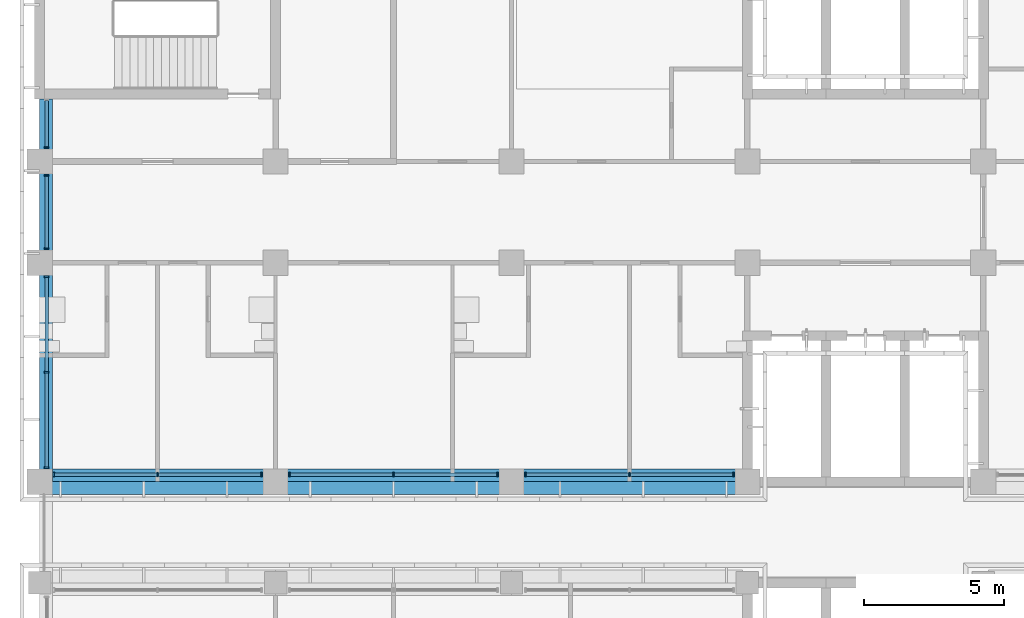
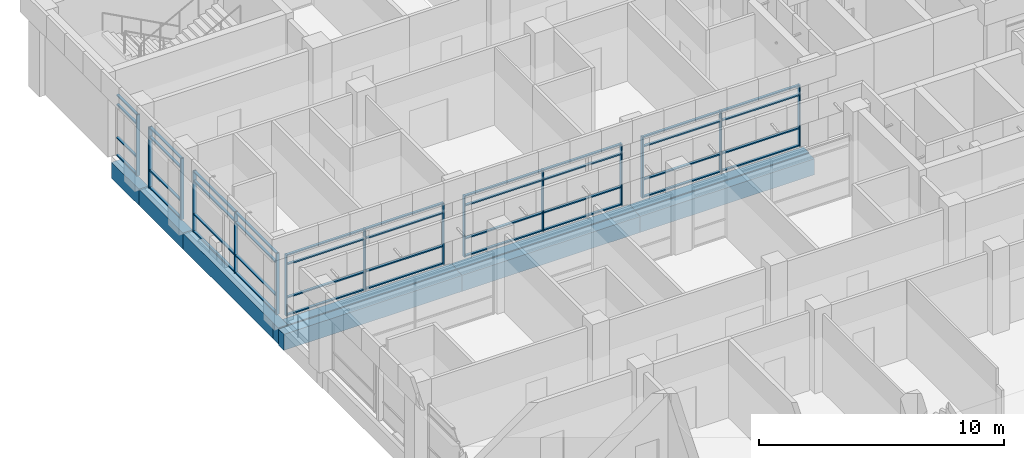
# One storey, part 23 of 137: 55 members, 9 beams, 6 elements without a shape of their own.
"""IFC4 building model written with IfcOpenShell, lengths in metres."""

from ifc_helpers import new_model, si_unit, direction, frame, origin, origin_2d, place, context, subcontext, project, spatial, rectangle, extrude, material, material_profile, profile_set, type_object, element, aggregate, save


model = new_model("IFC4")

# Units and contexts
model_context = context("Model", 3, precision=1e-05, world=origin(), true_north=direction((0.0, 1.0)))
body_context = subcontext(model_context, "Body", "Model", "MODEL_VIEW")
ifc_project = project(units=[si_unit("LENGTHUNIT", "METRE"), si_unit("AREAUNIT", "SQUARE_METRE"), si_unit("VOLUMEUNIT", "CUBIC_METRE"), si_unit("PLANEANGLEUNIT", "RADIAN"), si_unit("MASSUNIT", "GRAM", prefix="KILO")], contexts=[model_context])

# Site, building, storey
site_placement = place(None, origin())
site = spatial("IfcSite", under=ifc_project, at=site_placement, CompositionType="ELEMENT")
building_placement = place(site_placement, origin())
building = spatial("IfcBuilding", under=site, at=building_placement, Name="Bougainvillea Quay General Hospital", CompositionType="ELEMENT")
storey_placement = place(building_placement, frame((0.0, 0.0, 16.800048828125)))
storey = spatial("IfcBuildingStorey", under=building, at=storey_placement, Name="L03", CompositionType="ELEMENT", Elevation=16.800048828125)

# Curtain wall, member
ifc_material_1 = material(Name="Aluminium curtain wall system, powder-coated glazed", Category="aluminium")
curtain_wall_type_1 = type_object("IfcCurtainWallType", Name="Unitised curtain wall CW-1755", PredefinedType="NOTDEFINED", material=ifc_material_1)
curtain_wall_1_placement = place(storey_placement, origin())
curtain_wall_1 = element("IfcCurtainWall", 1, at=curtain_wall_1_placement, inside=storey, type_object=curtain_wall_type_1, Name="CW-4200 00", PredefinedType="NOTDEFINED")
ifc_material_2 = material(Name="Aluminium mullion, powder-coated charcoal", Category="aluminium")
ifc_material_profile_1 = material_profile(ifc_material_2, rectangle(XDim=0.159912109375, YDim=0.06005859375, at=origin_2d()))
ifc_profile_set_1 = profile_set([ifc_material_profile_1], Name="Aluminium mullion, powder-coated charcoal")
member_type_1 = type_object("IfcMemberType", Name="Curtain wall mullion 160x60", PredefinedType="MULLION", material=ifc_profile_set_1)
member_1_placement = place(storey_placement, frame((42.25, 152.300048828125, 0.0), z_axis=(0.0, 0.0, 1.0), x_axis=(1.0, 0.0, 0.0)))
member_1 = element("IfcMember", 2, at=member_1_placement, type_object=member_type_1, Name="CW-4200 mullion 2", PredefinedType="MULLION", context=body_context, shape_type="SweptSolid", body=[
    extrude(rectangle(XDim=0.159912109375, YDim=0.06005859375, at=origin_2d()), origin(), (0.0, 0.0, 1.0), 3.050048828125),
])

# Curtain wall, members
curtain_wall_type_2 = type_object("IfcCurtainWallType", Name="Unitised curtain wall CW-2660", PredefinedType="NOTDEFINED", material=ifc_material_1)
curtain_wall_2_placement = place(storey_placement, origin())
curtain_wall_2 = element("IfcCurtainWall", 3, at=curtain_wall_2_placement, inside=storey, type_object=curtain_wall_type_2, Name="CW-4200 01", PredefinedType="NOTDEFINED")
member_2_placement = place(storey_placement, frame((42.25, 151.300048828125, 0.0), z_axis=(0.0, 0.0, 1.0), x_axis=(1.0, 0.0, 0.0)))
member_2 = element("IfcMember", 4, at=member_2_placement, type_object=member_type_1, Name="CW-4200 mullion 1", PredefinedType="MULLION", context=body_context, shape_type="SweptSolid", body=[
    extrude(rectangle(XDim=0.159912109375, YDim=0.06005859375, at=origin_2d()), origin(), (0.0, 0.0, 1.0), 3.050048828125),
])
member_3_placement = place(storey_placement, frame((42.25, 148.699951171875, 0.0), z_axis=(0.0, 0.0, 1.0), x_axis=(1.0, 0.0, 0.0)))
member_3 = element("IfcMember", 5, at=member_3_placement, type_object=member_type_1, Name="CW-4200 mullion 2", PredefinedType="MULLION", context=body_context, shape_type="SweptSolid", body=[
    extrude(rectangle(XDim=0.159912109375, YDim=0.06005859375, at=origin_2d()), origin(), (0.0, 0.0, 1.0), 3.050048828125),
])

curtain_wall_type_3 = type_object("IfcCurtainWallType", Name="Unitised curtain wall CW-3430", PredefinedType="NOTDEFINED", material=ifc_material_1)
curtain_wall_3_placement = place(storey_placement, origin())
curtain_wall_3 = element("IfcCurtainWall", 6, at=curtain_wall_3_placement, inside=storey, type_object=curtain_wall_type_3, Name="CW-4200 02", PredefinedType="NOTDEFINED")
member_4_placement = place(storey_placement, frame((42.25, 147.699951171875, 0.0), z_axis=(0.0, 0.0, 1.0), x_axis=(1.0, 0.0, 0.0)))
member_4 = element("IfcMember", 7, at=member_4_placement, type_object=member_type_1, Name="CW-4200 mullion 1", PredefinedType="MULLION", context=body_context, shape_type="SweptSolid", body=[
    extrude(rectangle(XDim=0.159912109375, YDim=0.06005859375, at=origin_2d()), origin(), (0.0, 0.0, 1.0), 3.050048828125),
])
member_5_placement = place(storey_placement, frame((42.25, 144.300048828125, 0.0), z_axis=(0.0, 0.0, 1.0), x_axis=(1.0, 0.0, 0.0)))
member_5 = element("IfcMember", 8, at=member_5_placement, type_object=member_type_1, Name="CW-4200 mullion 2", PredefinedType="MULLION", context=body_context, shape_type="SweptSolid", body=[
    extrude(rectangle(XDim=0.159912109375, YDim=0.06005859375, at=origin_2d()), origin(), (0.0, 0.0, 1.0), 3.050048828125),
])
member_6_placement = place(storey_placement, frame((42.25, 140.89990234375, 0.0), z_axis=(0.0, 0.0, 1.0), x_axis=(1.0, 0.0, 0.0)))
member_6 = element("IfcMember", 9, at=member_6_placement, type_object=member_type_1, Name="CW-4200 mullion 3", PredefinedType="MULLION", context=body_context, shape_type="SweptSolid", body=[
    extrude(rectangle(XDim=0.159912109375, YDim=0.06005859375, at=origin_2d()), origin(), (0.0, 0.0, 1.0), 3.050048828125),
])

curtain_wall_type_4 = type_object("IfcCurtainWallType", Name="Unitised curtain wall CW-3730", PredefinedType="NOTDEFINED", material=ifc_material_1)
curtain_wall_4_placement = place(storey_placement, origin())
curtain_wall_4 = element("IfcCurtainWall", 10, at=curtain_wall_4_placement, inside=storey, type_object=curtain_wall_type_4, Name="CW-4200 00", PredefinedType="NOTDEFINED")
member_7_placement = place(storey_placement, frame((42.5, 140.64990234375, 0.0), z_axis=(0.0, 0.0, 1.0), x_axis=(0.0, 1.0, 0.0)))
member_7 = element("IfcMember", 11, at=member_7_placement, type_object=member_type_1, Name="CW-4200 mullion 1", PredefinedType="MULLION", context=body_context, shape_type="SweptSolid", body=[
    extrude(rectangle(XDim=0.159912109375, YDim=0.06005859375, at=origin_2d()), origin(), (0.0, 0.0, 1.0), 3.050048828125),
])
member_8_placement = place(storey_placement, frame((46.199951171875, 140.64990234375, 0.0), z_axis=(0.0, 0.0, 1.0), x_axis=(0.0, 1.0, 0.0)))
member_8 = element("IfcMember", 12, at=member_8_placement, type_object=member_type_1, Name="CW-4200 mullion 2", PredefinedType="MULLION", context=body_context, shape_type="SweptSolid", body=[
    extrude(rectangle(XDim=0.159912109375, YDim=0.06005859375, at=origin_2d()), origin(), (0.0, 0.0, 1.0), 3.050048828125),
])
member_9_placement = place(storey_placement, frame((49.89990234375, 140.64990234375, 0.0), z_axis=(0.0, 0.0, 1.0), x_axis=(0.0, 1.0, 0.0)))
member_9 = element("IfcMember", 13, at=member_9_placement, type_object=member_type_1, Name="CW-4200 mullion 3", PredefinedType="MULLION", context=body_context, shape_type="SweptSolid", body=[
    extrude(rectangle(XDim=0.159912109375, YDim=0.06005859375, at=origin_2d()), origin(), (0.0, 0.0, 1.0), 3.050048828125),
])

curtain_wall_5_placement = place(storey_placement, origin())
curtain_wall_5 = element("IfcCurtainWall", 14, at=curtain_wall_5_placement, inside=storey, type_object=curtain_wall_type_4, Name="CW-4200 01", PredefinedType="NOTDEFINED")
member_10_placement = place(storey_placement, frame((50.89990234375, 140.64990234375, 0.0), z_axis=(0.0, 0.0, 1.0), x_axis=(0.0, 1.0, 0.0)))
member_10 = element("IfcMember", 15, at=member_10_placement, type_object=member_type_1, Name="CW-4200 mullion 1", PredefinedType="MULLION", context=body_context, shape_type="SweptSolid", body=[
    extrude(rectangle(XDim=0.159912109375, YDim=0.06005859375, at=origin_2d()), origin(), (0.0, 0.0, 1.0), 3.050048828125),
])
member_11_placement = place(storey_placement, frame((54.60009765625, 140.64990234375, 0.0), z_axis=(0.0, 0.0, 1.0), x_axis=(0.0, 1.0, 0.0)))
member_11 = element("IfcMember", 16, at=member_11_placement, type_object=member_type_1, Name="CW-4200 mullion 2", PredefinedType="MULLION", context=body_context, shape_type="SweptSolid", body=[
    extrude(rectangle(XDim=0.159912109375, YDim=0.06005859375, at=origin_2d()), origin(), (0.0, 0.0, 1.0), 3.050048828125),
])
member_12_placement = place(storey_placement, frame((58.300048828125, 140.64990234375, 0.0), z_axis=(0.0, 0.0, 1.0), x_axis=(0.0, 1.0, 0.0)))
member_12 = element("IfcMember", 17, at=member_12_placement, type_object=member_type_1, Name="CW-4200 mullion 3", PredefinedType="MULLION", context=body_context, shape_type="SweptSolid", body=[
    extrude(rectangle(XDim=0.159912109375, YDim=0.06005859375, at=origin_2d()), origin(), (0.0, 0.0, 1.0), 3.050048828125),
])

curtain_wall_6_placement = place(storey_placement, origin())
curtain_wall_6 = element("IfcCurtainWall", 18, at=curtain_wall_6_placement, inside=storey, type_object=curtain_wall_type_4, Name="CW-4200 02", PredefinedType="NOTDEFINED")
member_13_placement = place(storey_placement, frame((59.300048828125, 140.64990234375, 0.0), z_axis=(0.0, 0.0, 1.0), x_axis=(0.0, 1.0, 0.0)))
member_13 = element("IfcMember", 19, at=member_13_placement, type_object=member_type_1, Name="CW-4200 mullion 1", PredefinedType="MULLION", context=body_context, shape_type="SweptSolid", body=[
    extrude(rectangle(XDim=0.159912109375, YDim=0.06005859375, at=origin_2d()), origin(), (0.0, 0.0, 1.0), 3.050048828125),
])
member_14_placement = place(storey_placement, frame((63.0, 140.64990234375, 0.0), z_axis=(0.0, 0.0, 1.0), x_axis=(0.0, 1.0, 0.0)))
member_14 = element("IfcMember", 20, at=member_14_placement, type_object=member_type_1, Name="CW-4200 mullion 2", PredefinedType="MULLION", context=body_context, shape_type="SweptSolid", body=[
    extrude(rectangle(XDim=0.159912109375, YDim=0.06005859375, at=origin_2d()), origin(), (0.0, 0.0, 1.0), 3.050048828125),
])
member_15_placement = place(storey_placement, frame((66.699951171875, 140.64990234375, 0.0), z_axis=(0.0, 0.0, 1.0), x_axis=(0.0, 1.0, 0.0)))
member_15 = element("IfcMember", 21, at=member_15_placement, type_object=member_type_1, Name="CW-4200 mullion 3", PredefinedType="MULLION", context=body_context, shape_type="SweptSolid", body=[
    extrude(rectangle(XDim=0.159912109375, YDim=0.06005859375, at=origin_2d()), origin(), (0.0, 0.0, 1.0), 3.050048828125),
])

# Member
ifc_material_3 = material(Name="Aluminium transom, powder-coated charcoal", Category="aluminium")
ifc_material_profile_2 = material_profile(ifc_material_3, rectangle(XDim=0.1201171875, YDim=0.06005859375, at=origin_2d()))
ifc_profile_set_2 = profile_set([ifc_material_profile_2], Name="Aluminium transom, powder-coated charcoal")
member_type_2 = type_object("IfcMemberType", Name="Curtain wall transom 120x60", PredefinedType="USERDEFINED", material=ifc_profile_set_2)
member_16_placement = place(storey_placement, frame((42.25, 153.965087890625, 0.030029296875), z_axis=(0.0, -1.0, 0.0), x_axis=(1.0, 0.0, 0.0)))
member_16 = element("IfcMember", 22, at=member_16_placement, type_object=member_type_2, Name="CW-4200 transom 1.1", ObjectType="TRANSOM", PredefinedType="USERDEFINED", context=body_context, shape_type="SweptSolid", body=[
    extrude(rectangle(XDim=0.1201171875, YDim=0.06005859375, at=origin_2d()), origin(), (0.0, 0.0, 1.0), 1.635009765625),
])

member_17_placement = place(storey_placement, frame((42.25, 153.965087890625, 0.89990234375), z_axis=(0.0, -1.0, 0.0), x_axis=(1.0, 0.0, 0.0)))
member_17 = element("IfcMember", 23, at=member_17_placement, type_object=member_type_2, Name="CW-4200 transom 1.2", ObjectType="TRANSOM", PredefinedType="USERDEFINED", context=body_context, shape_type="SweptSolid", body=[
    extrude(rectangle(XDim=0.1201171875, YDim=0.06005859375, at=origin_2d()), origin(), (0.0, 0.0, 1.0), 1.635009765625),
])

member_18_placement = place(storey_placement, frame((42.25, 153.965087890625, 2.550048828125), z_axis=(0.0, -1.0, 0.0), x_axis=(1.0, 0.0, 0.0)))
member_18 = element("IfcMember", 24, at=member_18_placement, type_object=member_type_2, Name="CW-4200 transom 1.3", ObjectType="TRANSOM", PredefinedType="USERDEFINED", context=body_context, shape_type="SweptSolid", body=[
    extrude(rectangle(XDim=0.1201171875, YDim=0.06005859375, at=origin_2d()), origin(), (0.0, 0.0, 1.0), 1.635009765625),
])

member_19_placement = place(storey_placement, frame((42.25, 153.965087890625, 3.02001953125), z_axis=(0.0, -1.0, 0.0), x_axis=(1.0, 0.0, 0.0)))
member_19 = element("IfcMember", 25, at=member_19_placement, type_object=member_type_2, Name="CW-4200 transom 1.4", ObjectType="TRANSOM", PredefinedType="USERDEFINED", context=body_context, shape_type="SweptSolid", body=[
    extrude(rectangle(XDim=0.1201171875, YDim=0.06005859375, at=origin_2d()), origin(), (0.0, 0.0, 1.0), 1.635009765625),
])

aggregate(curtain_wall_1, [member_1, member_16, member_17, member_18, member_19])

member_20_placement = place(storey_placement, frame((42.25, 151.27001953125, 0.030029296875), z_axis=(0.0, -1.0, 0.0), x_axis=(1.0, 0.0, 0.0)))
member_20 = element("IfcMember", 26, at=member_20_placement, type_object=member_type_2, Name="CW-4200 transom 1.1", ObjectType="TRANSOM", PredefinedType="USERDEFINED", context=body_context, shape_type="SweptSolid", body=[
    extrude(rectangle(XDim=0.1201171875, YDim=0.06005859375, at=origin_2d()), origin(), (0.0, 0.0, 1.0), 2.5400390625),
])

member_21_placement = place(storey_placement, frame((42.25, 151.27001953125, 0.89990234375), z_axis=(0.0, -1.0, 0.0), x_axis=(1.0, 0.0, 0.0)))
member_21 = element("IfcMember", 27, at=member_21_placement, type_object=member_type_2, Name="CW-4200 transom 1.2", ObjectType="TRANSOM", PredefinedType="USERDEFINED", context=body_context, shape_type="SweptSolid", body=[
    extrude(rectangle(XDim=0.1201171875, YDim=0.06005859375, at=origin_2d()), origin(), (0.0, 0.0, 1.0), 2.5400390625),
])

member_22_placement = place(storey_placement, frame((42.25, 151.27001953125, 2.550048828125), z_axis=(0.0, -1.0, 0.0), x_axis=(1.0, 0.0, 0.0)))
member_22 = element("IfcMember", 28, at=member_22_placement, type_object=member_type_2, Name="CW-4200 transom 1.3", ObjectType="TRANSOM", PredefinedType="USERDEFINED", context=body_context, shape_type="SweptSolid", body=[
    extrude(rectangle(XDim=0.1201171875, YDim=0.06005859375, at=origin_2d()), origin(), (0.0, 0.0, 1.0), 2.5400390625),
])

member_23_placement = place(storey_placement, frame((42.25, 151.27001953125, 3.02001953125), z_axis=(0.0, -1.0, 0.0), x_axis=(1.0, 0.0, 0.0)))
member_23 = element("IfcMember", 29, at=member_23_placement, type_object=member_type_2, Name="CW-4200 transom 1.4", ObjectType="TRANSOM", PredefinedType="USERDEFINED", context=body_context, shape_type="SweptSolid", body=[
    extrude(rectangle(XDim=0.1201171875, YDim=0.06005859375, at=origin_2d()), origin(), (0.0, 0.0, 1.0), 2.5400390625),
])

aggregate(curtain_wall_2, [member_2, member_3, member_20, member_21, member_22, member_23])

member_24_placement = place(storey_placement, frame((42.25, 147.669921875, 0.030029296875), z_axis=(0.0, -1.0, 0.0), x_axis=(1.0, 0.0, 0.0)))
member_24 = element("IfcMember", 30, at=member_24_placement, type_object=member_type_2, Name="CW-4200 transom 1.1", ObjectType="TRANSOM", PredefinedType="USERDEFINED", context=body_context, shape_type="SweptSolid", body=[
    extrude(rectangle(XDim=0.1201171875, YDim=0.06005859375, at=origin_2d()), origin(), (0.0, 0.0, 1.0), 3.33984375),
])

member_25_placement = place(storey_placement, frame((42.25, 147.669921875, 0.89990234375), z_axis=(0.0, -1.0, 0.0), x_axis=(1.0, 0.0, 0.0)))
member_25 = element("IfcMember", 31, at=member_25_placement, type_object=member_type_2, Name="CW-4200 transom 1.2", ObjectType="TRANSOM", PredefinedType="USERDEFINED", context=body_context, shape_type="SweptSolid", body=[
    extrude(rectangle(XDim=0.1201171875, YDim=0.06005859375, at=origin_2d()), origin(), (0.0, 0.0, 1.0), 3.33984375),
])

member_26_placement = place(storey_placement, frame((42.25, 147.669921875, 2.550048828125), z_axis=(0.0, -1.0, 0.0), x_axis=(1.0, 0.0, 0.0)))
member_26 = element("IfcMember", 32, at=member_26_placement, type_object=member_type_2, Name="CW-4200 transom 1.3", ObjectType="TRANSOM", PredefinedType="USERDEFINED", context=body_context, shape_type="SweptSolid", body=[
    extrude(rectangle(XDim=0.1201171875, YDim=0.06005859375, at=origin_2d()), origin(), (0.0, 0.0, 1.0), 3.33984375),
])

member_27_placement = place(storey_placement, frame((42.25, 147.669921875, 3.02001953125), z_axis=(0.0, -1.0, 0.0), x_axis=(1.0, 0.0, 0.0)))
member_27 = element("IfcMember", 33, at=member_27_placement, type_object=member_type_2, Name="CW-4200 transom 1.4", ObjectType="TRANSOM", PredefinedType="USERDEFINED", context=body_context, shape_type="SweptSolid", body=[
    extrude(rectangle(XDim=0.1201171875, YDim=0.06005859375, at=origin_2d()), origin(), (0.0, 0.0, 1.0), 3.33984375),
])

member_28_placement = place(storey_placement, frame((42.25, 144.27001953125, 0.030029296875), z_axis=(0.0, -1.0, 0.0), x_axis=(1.0, 0.0, 0.0)))
member_28 = element("IfcMember", 34, at=member_28_placement, type_object=member_type_2, Name="CW-4200 transom 2.1", ObjectType="TRANSOM", PredefinedType="USERDEFINED", context=body_context, shape_type="SweptSolid", body=[
    extrude(rectangle(XDim=0.1201171875, YDim=0.06005859375, at=origin_2d()), origin(), (0.0, 0.0, 1.0), 3.340087890625),
])

member_29_placement = place(storey_placement, frame((42.25, 144.27001953125, 0.89990234375), z_axis=(0.0, -1.0, 0.0), x_axis=(1.0, 0.0, 0.0)))
member_29 = element("IfcMember", 35, at=member_29_placement, type_object=member_type_2, Name="CW-4200 transom 2.2", ObjectType="TRANSOM", PredefinedType="USERDEFINED", context=body_context, shape_type="SweptSolid", body=[
    extrude(rectangle(XDim=0.1201171875, YDim=0.06005859375, at=origin_2d()), origin(), (0.0, 0.0, 1.0), 3.340087890625),
])

member_30_placement = place(storey_placement, frame((42.25, 144.27001953125, 2.550048828125), z_axis=(0.0, -1.0, 0.0), x_axis=(1.0, 0.0, 0.0)))
member_30 = element("IfcMember", 36, at=member_30_placement, type_object=member_type_2, Name="CW-4200 transom 2.3", ObjectType="TRANSOM", PredefinedType="USERDEFINED", context=body_context, shape_type="SweptSolid", body=[
    extrude(rectangle(XDim=0.1201171875, YDim=0.06005859375, at=origin_2d()), origin(), (0.0, 0.0, 1.0), 3.340087890625),
])

member_31_placement = place(storey_placement, frame((42.25, 144.27001953125, 3.02001953125), z_axis=(0.0, -1.0, 0.0), x_axis=(1.0, 0.0, 0.0)))
member_31 = element("IfcMember", 37, at=member_31_placement, type_object=member_type_2, Name="CW-4200 transom 2.4", ObjectType="TRANSOM", PredefinedType="USERDEFINED", context=body_context, shape_type="SweptSolid", body=[
    extrude(rectangle(XDim=0.1201171875, YDim=0.06005859375, at=origin_2d()), origin(), (0.0, 0.0, 1.0), 3.340087890625),
])

aggregate(curtain_wall_3, [member_4, member_5, member_6, member_24, member_25, member_26, member_27, member_28, member_29, member_30, member_31])

member_32_placement = place(storey_placement, frame((42.530029296875, 140.64990234375, 0.030029296875), z_axis=(1.0, 0.0, 0.0), x_axis=(0.0, 1.0, 0.0)))
member_32 = element("IfcMember", 38, at=member_32_placement, type_object=member_type_2, Name="CW-4200 transom 1.1", ObjectType="TRANSOM", PredefinedType="USERDEFINED", context=body_context, shape_type="SweptSolid", body=[
    extrude(rectangle(XDim=0.1201171875, YDim=0.06005859375, at=origin_2d()), origin(), (0.0, 0.0, 1.0), 3.639892578125),
])

member_33_placement = place(storey_placement, frame((42.530029296875, 140.64990234375, 0.89990234375), z_axis=(1.0, 0.0, 0.0), x_axis=(0.0, 1.0, 0.0)))
member_33 = element("IfcMember", 39, at=member_33_placement, type_object=member_type_2, Name="CW-4200 transom 1.2", ObjectType="TRANSOM", PredefinedType="USERDEFINED", context=body_context, shape_type="SweptSolid", body=[
    extrude(rectangle(XDim=0.1201171875, YDim=0.06005859375, at=origin_2d()), origin(), (0.0, 0.0, 1.0), 3.639892578125),
])

member_34_placement = place(storey_placement, frame((42.530029296875, 140.64990234375, 2.550048828125), z_axis=(1.0, 0.0, 0.0), x_axis=(0.0, 1.0, 0.0)))
member_34 = element("IfcMember", 40, at=member_34_placement, type_object=member_type_2, Name="CW-4200 transom 1.3", ObjectType="TRANSOM", PredefinedType="USERDEFINED", context=body_context, shape_type="SweptSolid", body=[
    extrude(rectangle(XDim=0.1201171875, YDim=0.06005859375, at=origin_2d()), origin(), (0.0, 0.0, 1.0), 3.639892578125),
])

member_35_placement = place(storey_placement, frame((42.530029296875, 140.64990234375, 3.02001953125), z_axis=(1.0, 0.0, 0.0), x_axis=(0.0, 1.0, 0.0)))
member_35 = element("IfcMember", 41, at=member_35_placement, type_object=member_type_2, Name="CW-4200 transom 1.4", ObjectType="TRANSOM", PredefinedType="USERDEFINED", context=body_context, shape_type="SweptSolid", body=[
    extrude(rectangle(XDim=0.1201171875, YDim=0.06005859375, at=origin_2d()), origin(), (0.0, 0.0, 1.0), 3.639892578125),
])

member_36_placement = place(storey_placement, frame((46.22998046875, 140.64990234375, 0.030029296875), z_axis=(1.0, 0.0, 0.0), x_axis=(0.0, 1.0, 0.0)))
member_36 = element("IfcMember", 42, at=member_36_placement, type_object=member_type_2, Name="CW-4200 transom 2.1", ObjectType="TRANSOM", PredefinedType="USERDEFINED", context=body_context, shape_type="SweptSolid", body=[
    extrude(rectangle(XDim=0.1201171875, YDim=0.06005859375, at=origin_2d()), origin(), (0.0, 0.0, 1.0), 3.64013671875),
])

member_37_placement = place(storey_placement, frame((46.22998046875, 140.64990234375, 0.89990234375), z_axis=(1.0, 0.0, 0.0), x_axis=(0.0, 1.0, 0.0)))
member_37 = element("IfcMember", 43, at=member_37_placement, type_object=member_type_2, Name="CW-4200 transom 2.2", ObjectType="TRANSOM", PredefinedType="USERDEFINED", context=body_context, shape_type="SweptSolid", body=[
    extrude(rectangle(XDim=0.1201171875, YDim=0.06005859375, at=origin_2d()), origin(), (0.0, 0.0, 1.0), 3.64013671875),
])

member_38_placement = place(storey_placement, frame((46.22998046875, 140.64990234375, 2.550048828125), z_axis=(1.0, 0.0, 0.0), x_axis=(0.0, 1.0, 0.0)))
member_38 = element("IfcMember", 44, at=member_38_placement, type_object=member_type_2, Name="CW-4200 transom 2.3", ObjectType="TRANSOM", PredefinedType="USERDEFINED", context=body_context, shape_type="SweptSolid", body=[
    extrude(rectangle(XDim=0.1201171875, YDim=0.06005859375, at=origin_2d()), origin(), (0.0, 0.0, 1.0), 3.64013671875),
])

member_39_placement = place(storey_placement, frame((46.22998046875, 140.64990234375, 3.02001953125), z_axis=(1.0, 0.0, 0.0), x_axis=(0.0, 1.0, 0.0)))
member_39 = element("IfcMember", 45, at=member_39_placement, type_object=member_type_2, Name="CW-4200 transom 2.4", ObjectType="TRANSOM", PredefinedType="USERDEFINED", context=body_context, shape_type="SweptSolid", body=[
    extrude(rectangle(XDim=0.1201171875, YDim=0.06005859375, at=origin_2d()), origin(), (0.0, 0.0, 1.0), 3.64013671875),
])

aggregate(curtain_wall_4, [member_7, member_8, member_9, member_32, member_33, member_34, member_35, member_36, member_37, member_38, member_39])

member_40_placement = place(storey_placement, frame((50.929931640625, 140.64990234375, 0.030029296875), z_axis=(1.0, 0.0, 0.0), x_axis=(0.0, 1.0, 0.0)))
member_40 = element("IfcMember", 46, at=member_40_placement, type_object=member_type_2, Name="CW-4200 transom 1.1", ObjectType="TRANSOM", PredefinedType="USERDEFINED", context=body_context, shape_type="SweptSolid", body=[
    extrude(rectangle(XDim=0.1201171875, YDim=0.06005859375, at=origin_2d()), origin(), (0.0, 0.0, 1.0), 3.64013671875),
])

member_41_placement = place(storey_placement, frame((50.929931640625, 140.64990234375, 0.89990234375), z_axis=(1.0, 0.0, 0.0), x_axis=(0.0, 1.0, 0.0)))
member_41 = element("IfcMember", 47, at=member_41_placement, type_object=member_type_2, Name="CW-4200 transom 1.2", ObjectType="TRANSOM", PredefinedType="USERDEFINED", context=body_context, shape_type="SweptSolid", body=[
    extrude(rectangle(XDim=0.1201171875, YDim=0.06005859375, at=origin_2d()), origin(), (0.0, 0.0, 1.0), 3.64013671875),
])

member_42_placement = place(storey_placement, frame((50.929931640625, 140.64990234375, 2.550048828125), z_axis=(1.0, 0.0, 0.0), x_axis=(0.0, 1.0, 0.0)))
member_42 = element("IfcMember", 48, at=member_42_placement, type_object=member_type_2, Name="CW-4200 transom 1.3", ObjectType="TRANSOM", PredefinedType="USERDEFINED", context=body_context, shape_type="SweptSolid", body=[
    extrude(rectangle(XDim=0.1201171875, YDim=0.06005859375, at=origin_2d()), origin(), (0.0, 0.0, 1.0), 3.64013671875),
])

member_43_placement = place(storey_placement, frame((50.929931640625, 140.64990234375, 3.02001953125), z_axis=(1.0, 0.0, 0.0), x_axis=(0.0, 1.0, 0.0)))
member_43 = element("IfcMember", 49, at=member_43_placement, type_object=member_type_2, Name="CW-4200 transom 1.4", ObjectType="TRANSOM", PredefinedType="USERDEFINED", context=body_context, shape_type="SweptSolid", body=[
    extrude(rectangle(XDim=0.1201171875, YDim=0.06005859375, at=origin_2d()), origin(), (0.0, 0.0, 1.0), 3.64013671875),
])

member_44_placement = place(storey_placement, frame((54.6298828125, 140.64990234375, 0.030029296875), z_axis=(1.0, 0.0, 0.0), x_axis=(0.0, 1.0, 0.0)))
member_44 = element("IfcMember", 50, at=member_44_placement, type_object=member_type_2, Name="CW-4200 transom 2.1", ObjectType="TRANSOM", PredefinedType="USERDEFINED", context=body_context, shape_type="SweptSolid", body=[
    extrude(rectangle(XDim=0.1201171875, YDim=0.06005859375, at=origin_2d()), origin(), (0.0, 0.0, 1.0), 3.64013671875),
])

member_45_placement = place(storey_placement, frame((54.6298828125, 140.64990234375, 0.89990234375), z_axis=(1.0, 0.0, 0.0), x_axis=(0.0, 1.0, 0.0)))
member_45 = element("IfcMember", 51, at=member_45_placement, type_object=member_type_2, Name="CW-4200 transom 2.2", ObjectType="TRANSOM", PredefinedType="USERDEFINED", context=body_context, shape_type="SweptSolid", body=[
    extrude(rectangle(XDim=0.1201171875, YDim=0.06005859375, at=origin_2d()), origin(), (0.0, 0.0, 1.0), 3.64013671875),
])

member_46_placement = place(storey_placement, frame((54.6298828125, 140.64990234375, 2.550048828125), z_axis=(1.0, 0.0, 0.0), x_axis=(0.0, 1.0, 0.0)))
member_46 = element("IfcMember", 52, at=member_46_placement, type_object=member_type_2, Name="CW-4200 transom 2.3", ObjectType="TRANSOM", PredefinedType="USERDEFINED", context=body_context, shape_type="SweptSolid", body=[
    extrude(rectangle(XDim=0.1201171875, YDim=0.06005859375, at=origin_2d()), origin(), (0.0, 0.0, 1.0), 3.64013671875),
])

member_47_placement = place(storey_placement, frame((54.6298828125, 140.64990234375, 3.02001953125), z_axis=(1.0, 0.0, 0.0), x_axis=(0.0, 1.0, 0.0)))
member_47 = element("IfcMember", 53, at=member_47_placement, type_object=member_type_2, Name="CW-4200 transom 2.4", ObjectType="TRANSOM", PredefinedType="USERDEFINED", context=body_context, shape_type="SweptSolid", body=[
    extrude(rectangle(XDim=0.1201171875, YDim=0.06005859375, at=origin_2d()), origin(), (0.0, 0.0, 1.0), 3.64013671875),
])

aggregate(curtain_wall_5, [member_10, member_11, member_12, member_40, member_41, member_42, member_43, member_44, member_45, member_46, member_47])

member_48_placement = place(storey_placement, frame((59.330078125, 140.64990234375, 0.030029296875), z_axis=(1.0, 0.0, 0.0), x_axis=(0.0, 1.0, 0.0)))
member_48 = element("IfcMember", 54, at=member_48_placement, type_object=member_type_2, Name="CW-4200 transom 1.1", ObjectType="TRANSOM", PredefinedType="USERDEFINED", context=body_context, shape_type="SweptSolid", body=[
    extrude(rectangle(XDim=0.1201171875, YDim=0.06005859375, at=origin_2d()), origin(), (0.0, 0.0, 1.0), 3.639892578125),
])

member_49_placement = place(storey_placement, frame((59.330078125, 140.64990234375, 0.89990234375), z_axis=(1.0, 0.0, 0.0), x_axis=(0.0, 1.0, 0.0)))
member_49 = element("IfcMember", 55, at=member_49_placement, type_object=member_type_2, Name="CW-4200 transom 1.2", ObjectType="TRANSOM", PredefinedType="USERDEFINED", context=body_context, shape_type="SweptSolid", body=[
    extrude(rectangle(XDim=0.1201171875, YDim=0.06005859375, at=origin_2d()), origin(), (0.0, 0.0, 1.0), 3.639892578125),
])

member_50_placement = place(storey_placement, frame((59.330078125, 140.64990234375, 2.550048828125), z_axis=(1.0, 0.0, 0.0), x_axis=(0.0, 1.0, 0.0)))
member_50 = element("IfcMember", 56, at=member_50_placement, type_object=member_type_2, Name="CW-4200 transom 1.3", ObjectType="TRANSOM", PredefinedType="USERDEFINED", context=body_context, shape_type="SweptSolid", body=[
    extrude(rectangle(XDim=0.1201171875, YDim=0.06005859375, at=origin_2d()), origin(), (0.0, 0.0, 1.0), 3.639892578125),
])

member_51_placement = place(storey_placement, frame((59.330078125, 140.64990234375, 3.02001953125), z_axis=(1.0, 0.0, 0.0), x_axis=(0.0, 1.0, 0.0)))
member_51 = element("IfcMember", 57, at=member_51_placement, type_object=member_type_2, Name="CW-4200 transom 1.4", ObjectType="TRANSOM", PredefinedType="USERDEFINED", context=body_context, shape_type="SweptSolid", body=[
    extrude(rectangle(XDim=0.1201171875, YDim=0.06005859375, at=origin_2d()), origin(), (0.0, 0.0, 1.0), 3.639892578125),
])

member_52_placement = place(storey_placement, frame((63.030029296875, 140.64990234375, 0.030029296875), z_axis=(1.0, 0.0, 0.0), x_axis=(0.0, 1.0, 0.0)))
member_52 = element("IfcMember", 58, at=member_52_placement, type_object=member_type_2, Name="CW-4200 transom 2.1", ObjectType="TRANSOM", PredefinedType="USERDEFINED", context=body_context, shape_type="SweptSolid", body=[
    extrude(rectangle(XDim=0.1201171875, YDim=0.06005859375, at=origin_2d()), origin(), (0.0, 0.0, 1.0), 3.639892578125),
])

member_53_placement = place(storey_placement, frame((63.030029296875, 140.64990234375, 0.89990234375), z_axis=(1.0, 0.0, 0.0), x_axis=(0.0, 1.0, 0.0)))
member_53 = element("IfcMember", 59, at=member_53_placement, type_object=member_type_2, Name="CW-4200 transom 2.2", ObjectType="TRANSOM", PredefinedType="USERDEFINED", context=body_context, shape_type="SweptSolid", body=[
    extrude(rectangle(XDim=0.1201171875, YDim=0.06005859375, at=origin_2d()), origin(), (0.0, 0.0, 1.0), 3.639892578125),
])

member_54_placement = place(storey_placement, frame((63.030029296875, 140.64990234375, 2.550048828125), z_axis=(1.0, 0.0, 0.0), x_axis=(0.0, 1.0, 0.0)))
member_54 = element("IfcMember", 60, at=member_54_placement, type_object=member_type_2, Name="CW-4200 transom 2.3", ObjectType="TRANSOM", PredefinedType="USERDEFINED", context=body_context, shape_type="SweptSolid", body=[
    extrude(rectangle(XDim=0.1201171875, YDim=0.06005859375, at=origin_2d()), origin(), (0.0, 0.0, 1.0), 3.639892578125),
])

member_55_placement = place(storey_placement, frame((63.030029296875, 140.64990234375, 3.02001953125), z_axis=(1.0, 0.0, 0.0), x_axis=(0.0, 1.0, 0.0)))
member_55 = element("IfcMember", 61, at=member_55_placement, type_object=member_type_2, Name="CW-4200 transom 2.4", ObjectType="TRANSOM", PredefinedType="USERDEFINED", context=body_context, shape_type="SweptSolid", body=[
    extrude(rectangle(XDim=0.1201171875, YDim=0.06005859375, at=origin_2d()), origin(), (0.0, 0.0, 1.0), 3.639892578125),
])

aggregate(curtain_wall_6, [member_13, member_14, member_15, member_48, member_49, member_50, member_51, member_52, member_53, member_54, member_55])

# Beams
ifc_material_4 = material(Name="Concrete C40", Category="concrete")
ifc_material_profile_3 = material_profile(ifc_material_4, rectangle(XDim=0.449951171875, YDim=0.800048828125, at=origin_2d()))
ifc_profile_set_3 = profile_set([ifc_material_profile_3], Name="Concrete C40")
beam_type = type_object("IfcBeamType", Name="RC BEAM 450x800 C40", PredefinedType="BEAM", material=ifc_profile_set_3)
beam_1_placement = place(storey_placement, frame((42.22509765625, 154.02490234375, -0.699951171875), z_axis=(0.0, -1.0, 0.0), x_axis=(1.0, 0.0, 0.0)))
element("IfcBeam", 62, at=beam_1_placement, inside=storey, type_object=beam_type, Name="Edge beam L03", PredefinedType="BEAM", context=body_context, shape_type="SweptSolid", body=[
    extrude(rectangle(XDim=0.449951171875, YDim=0.800048828125, at=origin_2d()), origin(), (0.0, 0.0, 1.0), 2.224853515625),
])
beam_2_placement = place(storey_placement, frame((42.22509765625, 151.800048828125, -0.699951171875), z_axis=(0.0, -1.0, 0.0), x_axis=(1.0, 0.0, 0.0)))
element("IfcBeam", 63, at=beam_2_placement, inside=storey, type_object=beam_type, Name="Edge beam L03", PredefinedType="BEAM", context=body_context, shape_type="SweptSolid", body=[
    extrude(rectangle(XDim=0.449951171875, YDim=0.800048828125, at=origin_2d()), origin(), (0.0, 0.0, 1.0), 3.60009765625),
])
beam_3_placement = place(storey_placement, frame((42.22509765625, 148.199951171875, -0.699951171875), z_axis=(0.0, -1.0, 0.0), x_axis=(1.0, 0.0, 0.0)))
element("IfcBeam", 64, at=beam_3_placement, inside=storey, type_object=beam_type, Name="Edge beam L03", PredefinedType="BEAM", context=body_context, shape_type="SweptSolid", body=[
    extrude(rectangle(XDim=0.449951171875, YDim=0.800048828125, at=origin_2d()), origin(), (0.0, 0.0, 1.0), 7.800048828125),
])
beam_4_placement = place(storey_placement, frame((42.0, 140.625, -0.699951171875), z_axis=(1.0, 0.0, 0.0), x_axis=(0.0, 1.0, 0.0)))
element("IfcBeam", 65, at=beam_4_placement, inside=storey, type_object=beam_type, Name="Edge beam L03", PredefinedType="BEAM", context=body_context, shape_type="SweptSolid", body=[
    extrude(rectangle(XDim=0.449951171875, YDim=0.800048828125, at=origin_2d()), origin(), (0.0, 0.0, 1.0), 8.39990234375),
])
beam_5_placement = place(storey_placement, frame((50.39990234375, 140.625, -0.699951171875), z_axis=(1.0, 0.0, 0.0), x_axis=(0.0, 1.0, 0.0)))
element("IfcBeam", 66, at=beam_5_placement, inside=storey, type_object=beam_type, Name="Edge beam L03", PredefinedType="BEAM", context=body_context, shape_type="SweptSolid", body=[
    extrude(rectangle(XDim=0.449951171875, YDim=0.800048828125, at=origin_2d()), origin(), (0.0, 0.0, 1.0), 8.400146484375),
])
for number, where, z_axis, x_axis, name in (
    (67, (58.800048828125, 140.625, -0.699951171875), (1.0, 0.0, 0.0), (0.0, 1.0, 0.0), "Edge beam L03"),
    (68, (67.02490234375, 140.175048828125, -0.75), (-1.0, 0.0, 0.0), (0.0, -1.0, 0.0), "Edge beam L03"),
):
    element("IfcBeam", number, at=place(storey_placement, frame(where, z_axis=z_axis, x_axis=x_axis)), inside=storey, type_object=beam_type, Name=name, PredefinedType="BEAM", context=body_context, shape_type="SweptSolid", body=[
        extrude(rectangle(XDim=0.449951171875, YDim=0.800048828125, at=origin_2d()), origin(), (0.0, 0.0, 1.0), 8.224853515625),
    ])
beam_6_placement = place(storey_placement, frame((58.800048828125, 140.175048828125, -0.75), z_axis=(-1.0, 0.0, 0.0), x_axis=(0.0, -1.0, 0.0)))
element("IfcBeam", 69, at=beam_6_placement, inside=storey, type_object=beam_type, Name="Edge beam L03", PredefinedType="BEAM", context=body_context, shape_type="SweptSolid", body=[
    extrude(rectangle(XDim=0.449951171875, YDim=0.800048828125, at=origin_2d()), origin(), (0.0, 0.0, 1.0), 8.400146484375),
])
beam_7_placement = place(storey_placement, frame((50.39990234375, 140.175048828125, -0.75), z_axis=(-1.0, 0.0, 0.0), x_axis=(0.0, -1.0, 0.0)))
element("IfcBeam", 70, at=beam_7_placement, inside=storey, type_object=beam_type, Name="Edge beam L03", PredefinedType="BEAM", context=body_context, shape_type="SweptSolid", body=[
    extrude(rectangle(XDim=0.449951171875, YDim=0.800048828125, at=origin_2d()), origin(), (0.0, 0.0, 1.0), 8.39990234375),
])

save(model, "model.ifc")
